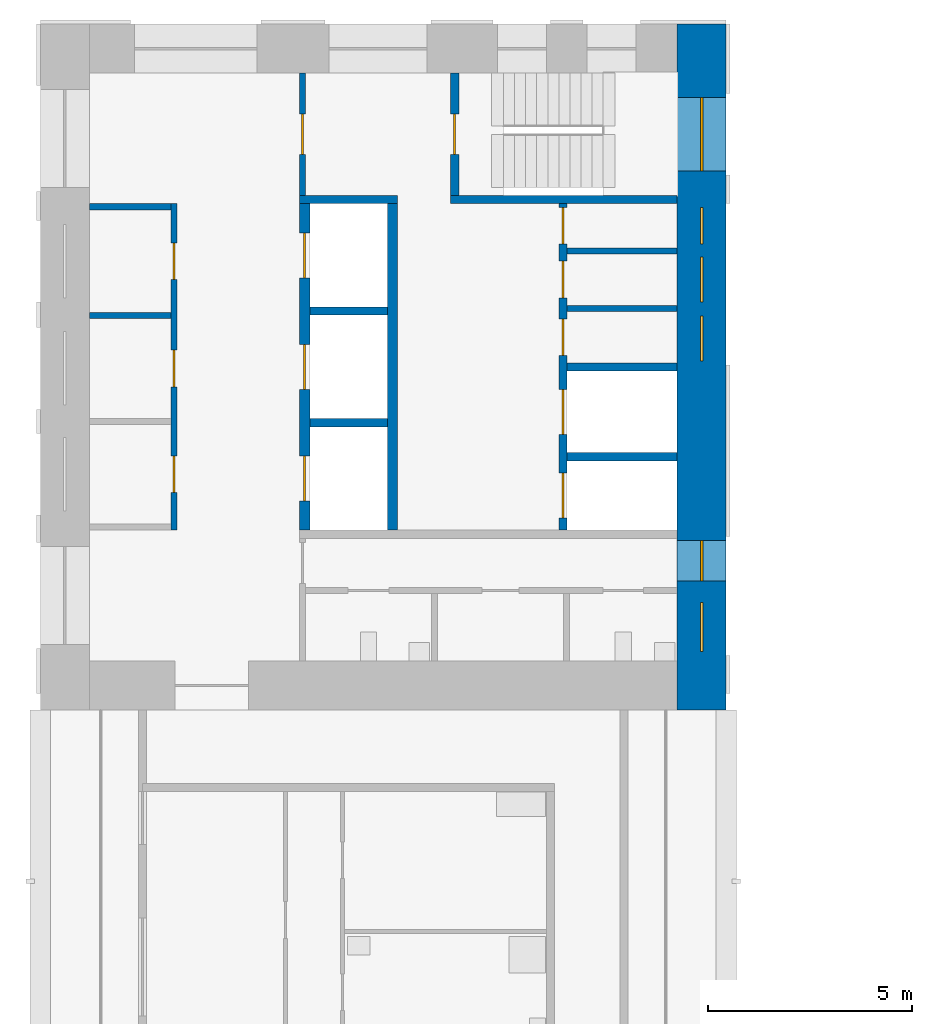
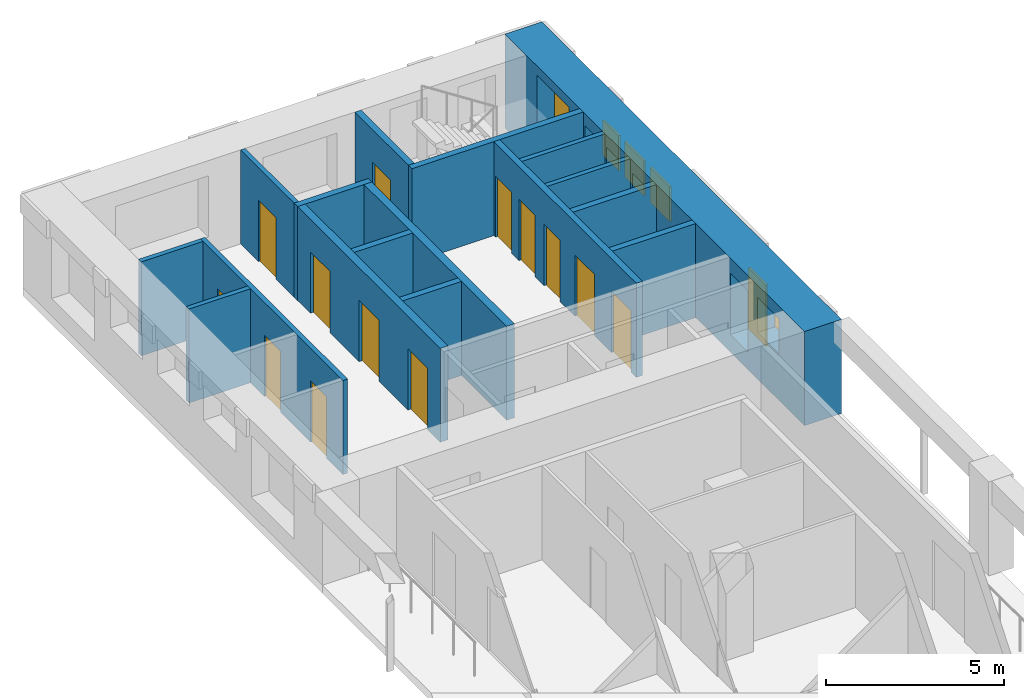
# One storey, part 6 of 10: 17 walls, 13 doors, 6 windows, 19 openings.
"""IFC4 building model written with IfcOpenShell, lengths in metres."""

from ifc_helpers import new_model, si_unit, direction, frame, frame_2d, origin, place, context, subcontext, project, spatial, rectangle, extrude, material, layer, layer_set, type_object, element, fill, save


model = new_model("IFC4")

# Units and contexts
model_context = context("Model", 3, precision=1e-05, world=origin(), true_north=direction((0.0, 1.0)))
body_context = subcontext(model_context, "Body", "Model", "MODEL_VIEW")
ifc_project = project(units=[si_unit("LENGTHUNIT", "METRE"), si_unit("AREAUNIT", "SQUARE_METRE"), si_unit("VOLUMEUNIT", "CUBIC_METRE"), si_unit("PLANEANGLEUNIT", "RADIAN"), si_unit("MASSUNIT", "GRAM", prefix="KILO")], contexts=[model_context])

# Site, building, storey
site_placement = place(None, origin())
site = spatial("IfcSite", under=ifc_project, at=site_placement, CompositionType="ELEMENT")
building_placement = place(site_placement, origin())
building = spatial("IfcBuilding", under=site, at=building_placement, Name="Vermilion Gate Residences", CompositionType="ELEMENT")
storey_placement = place(building_placement, frame((0.0, 0.0, 266.699951171875)))
storey = spatial("IfcBuildingStorey", under=building, at=storey_placement, Name="L70", CompositionType="ELEMENT", Elevation=266.699951171875)

# Walls
ifc_material_1 = material(Name="Masonry blockwork", Category="masonry")
ifc_layer_1 = layer(ifc_material_1, 0.14990234375)
ifc_layer_set_1 = layer_set([ifc_layer_1], Name="BLOCKWORK PARTITION 150 EI 120")
wall_type_1 = type_object("IfcWallType", Name="BLOCKWORK PARTITION 150 EI 120", PredefinedType="PARTITIONING", material=ifc_layer_set_1)
for number, where, z_axis, x_axis, name in (
    (1, (9.60009765625, 54.324951171875, 0.0), (0.0, 0.0, 1.0), (1.0, 0.0, 0.0), "Core room partition B70-RW-W"),
    (2, (9.60009765625, 51.658935546875, 0.0), (0.0, 0.0, 1.0), (1.0, 0.0, 0.0), "Core room partition B70-SR-P0"),
):
    element("IfcWall", number, at=place(storey_placement, frame(where, z_axis=z_axis, x_axis=x_axis)), inside=storey, type_object=wall_type_1, Name=name, PredefinedType="PARTITIONING", context=body_context, shape_type="SweptSolid", body=[
        extrude(rectangle(XDim=2.0, YDim=0.14990234375, at=frame_2d((1.0, 0.0))), origin(), (0.0, 0.0, 1.0), 3.219970703125),
    ])

# Wall, openings, doors
wall_1_placement = place(storey_placement, frame((11.675048828125, 54.39990234375, 0.0), z_axis=(0.0, 0.0, 1.0), x_axis=(0.0, -1.0, 0.0)))
wall_1 = element("IfcWall", 3, at=wall_1_placement, inside=storey, type_object=wall_type_1, Name="Core room partition B70-LR-F", PredefinedType="PARTITIONING", context=body_context, shape_type="SweptSolid", body=[
    extrude(rectangle(XDim=8.0, YDim=0.14990234375, at=frame_2d((4.0, 0.0))), origin(), (0.0, 0.0, 1.0), 3.219970703125),
])
opening_1_placement = place(wall_1_placement, frame((0.9580078125, 0.0, 0.0)))
opening_1 = element("IfcOpeningElement", 4, at=opening_1_placement, cuts=wall_1, Name="Opening DK70102", PredefinedType="OPENING", context=body_context, shape_type="SweptSolid", body=[
    extrude(rectangle(XDim=0.89990234375, YDim=2.10009765625, at=frame_2d((0.449951171875, 1.050048828125))), frame((0.0, 0.0849609375, 0.0), z_axis=(0.0, -1.0, 0.0), x_axis=(1.0, 0.0, 0.0)), (0.0, 0.0, 1.0), 0.169921875),
])
opening_2_placement = place(wall_1_placement, frame((3.5869140625, 0.0, 0.0)))
opening_2 = element("IfcOpeningElement", 5, at=opening_2_placement, cuts=wall_1, Name="Opening DK70103", PredefinedType="OPENING", context=body_context, shape_type="SweptSolid", body=[
    extrude(rectangle(XDim=0.89990234375, YDim=2.10009765625, at=frame_2d((0.449951171875, 1.050048828125))), frame((0.0, 0.0849609375, 0.0), z_axis=(0.0, -1.0, 0.0), x_axis=(1.0, 0.0, 0.0)), (0.0, 0.0, 1.0), 0.169921875),
])
opening_3_placement = place(wall_1_placement, frame((6.178955078125, 0.0, 0.0)))
opening_3 = element("IfcOpeningElement", 6, at=opening_3_placement, cuts=wall_1, Name="Opening DK70104", PredefinedType="OPENING", context=body_context, shape_type="SweptSolid", body=[
    extrude(rectangle(XDim=0.89990234375, YDim=2.10009765625, at=frame_2d((0.449951171875, 1.050048828125))), frame((0.0, 0.0849609375, 0.0), z_axis=(0.0, -1.0, 0.0), x_axis=(1.0, 0.0, 0.0)), (0.0, 0.0, 1.0), 0.169921875),
])
ifc_material_2 = material(Name="Steel", Category="steel")
door_type_1 = type_object("IfcDoorType", Name="SERVICE ROOM DOOR FD60 900 X 2100", OperationType="SINGLE_SWING_LEFT", PredefinedType="DOOR", material=ifc_material_2)
door_1_placement = place(opening_1_placement, frame((0.89990234375, 0.0, 0.0), z_axis=(0.0, 0.0, 1.0), x_axis=(-1.0, 0.0, 0.0)))
door_1 = element("IfcDoor", 7, at=door_1_placement, inside=storey, type_object=door_type_1, Name="Mail room B70", OperationType="SINGLE_SWING_RIGHT", OverallHeight=2.10009765625, OverallWidth=0.89990234375, PredefinedType="DOOR", context=body_context, shape_type="SweptSolid", body=[
    extrude(rectangle(XDim=0.89990234375, YDim=2.10009765625, at=frame_2d((0.449951171875, 1.050048828125))), frame((0.0, 0.02490234375, 0.0), z_axis=(0.0, -1.0, 0.0), x_axis=(1.0, 0.0, 0.0)), (0.0, 0.0, 1.0), 0.050048828125),
])
fill(opening_1, door_1)
door_2_placement = place(opening_2_placement, frame((0.89990234375, 0.0, 0.0), z_axis=(0.0, 0.0, 1.0), x_axis=(-1.0, 0.0, 0.0)))
door_2 = element("IfcDoor", 8, at=door_2_placement, inside=storey, type_object=door_type_1, Name="Cleaner's store B70", OperationType="SINGLE_SWING_LEFT", OverallHeight=2.10009765625, OverallWidth=0.89990234375, PredefinedType="DOOR", context=body_context, shape_type="SweptSolid", body=[
    extrude(rectangle(XDim=0.89990234375, YDim=2.10009765625, at=frame_2d((0.449951171875, 1.050048828125))), frame((0.0, 0.02490234375, 0.0), z_axis=(0.0, -1.0, 0.0), x_axis=(1.0, 0.0, 0.0)), (0.0, 0.0, 1.0), 0.050048828125),
])
fill(opening_2, door_2)
door_3_placement = place(opening_3_placement, origin())
door_3 = element("IfcDoor", 9, at=door_3_placement, inside=storey, type_object=door_type_1, Name="Electrical room B70", OperationType="SINGLE_SWING_LEFT", OverallHeight=2.10009765625, OverallWidth=0.89990234375, PredefinedType="DOOR", context=body_context, shape_type="SweptSolid", body=[
    extrude(rectangle(XDim=0.89990234375, YDim=2.10009765625, at=frame_2d((0.449951171875, 1.050048828125))), frame((0.0, 0.02490234375, 0.0), z_axis=(0.0, -1.0, 0.0), x_axis=(1.0, 0.0, 0.0)), (0.0, 0.0, 1.0), 0.050048828125),
])
fill(opening_3, door_3)

# Walls
for number, where, z_axis, x_axis, name in (
    (10, (21.300048828125, 53.2451171875, 0.0), (0.0, 0.0, 1.0), (1.0, 0.0, 0.0), "Core room partition B70-NR-P0"),
    (11, (21.300048828125, 51.8349609375, 0.0), (0.0, 0.0, 1.0), (1.0, 0.0, 0.0), "Core room partition B70-NR-P1"),
):
    element("IfcWall", number, at=place(storey_placement, frame(where, z_axis=z_axis, x_axis=x_axis)), inside=storey, type_object=wall_type_1, Name=name, PredefinedType="PARTITIONING", context=body_context, shape_type="SweptSolid", body=[
        extrude(rectangle(XDim=2.699951171875, YDim=0.14990234375, at=frame_2d((1.35009765625, 0.0))), origin(), (0.0, 0.0, 1.0), 3.219970703125),
    ])

# Wall, opening, door
wall_2_placement = place(storey_placement, frame((14.824951171875, 57.60009765625, 0.0), z_axis=(0.0, 0.0, 1.0), x_axis=(0.0, -1.0, 0.0)))
wall_2 = element("IfcWall", 12, at=wall_2_placement, inside=storey, type_object=wall_type_1, Name="Core room partition B70-VW-S", PredefinedType="PARTITIONING", context=body_context, shape_type="SweptSolid", body=[
    extrude(rectangle(XDim=3.0, YDim=0.14990234375, at=frame_2d((1.5, 0.0))), origin(), (0.0, 0.0, 1.0), 3.219970703125),
])
opening_4_placement = place(wall_2_placement, frame((1.0, 0.0, 0.0)))
opening_4 = element("IfcOpeningElement", 13, at=opening_4_placement, cuts=wall_2, Name="Opening DK70113", PredefinedType="OPENING", context=body_context, shape_type="SweptSolid", body=[
    extrude(rectangle(XDim=1.0, YDim=2.10009765625, at=frame_2d((0.5, 1.050048828125))), frame((0.0, 0.0849609375, 0.0), z_axis=(0.0, -1.0, 0.0), x_axis=(1.0, 0.0, 0.0)), (0.0, 0.0, 1.0), 0.169921875),
])
ifc_material_3 = material(Name="Steel", Category="steel")
door_type_2 = type_object("IfcDoorType", Name="FIRE DOOR FD60 1000 X 2100", OperationType="SINGLE_SWING_LEFT", PredefinedType="DOOR", material=ifc_material_3)
door_4_placement = place(opening_4_placement, frame((1.0, 0.0, 0.0), z_axis=(0.0, 0.0, 1.0), x_axis=(-1.0, 0.0, 0.0)))
door_4 = element("IfcDoor", 14, at=door_4_placement, inside=storey, type_object=door_type_2, Name="Stair vestibule door B70", OperationType="SINGLE_SWING_RIGHT", OverallHeight=2.10009765625, OverallWidth=1.0, PredefinedType="DOOR", context=body_context, shape_type="SweptSolid", body=[
    extrude(rectangle(XDim=1.0, YDim=2.10009765625, at=frame_2d((0.5, 1.050048828125))), frame((0.0, 0.02490234375, 0.0), z_axis=(0.0, -1.0, 0.0), x_axis=(1.0, 0.0, 0.0)), (0.0, 0.0, 1.0), 0.050048828125),
])
fill(opening_4, door_4)

# Walls
ifc_material_4 = material(Name="Concrete C60", Category="concrete")
ifc_layer_2 = layer(ifc_material_4, 0.199951171875)
ifc_layer_set_2 = layer_set([ifc_layer_2], Name="RC CORE INTERNAL WALL 200 C60")
wall_type_2 = type_object("IfcWallType", Name="RC CORE INTERNAL WALL 200 C60", PredefinedType="SHEAR", material=ifc_layer_set_2)
for number, where, z_axis, x_axis, name in (
    (15, (15.0, 51.7666015625, 0.0), (0.0, 0.0, 1.0), (1.0, 0.0, 0.0), "Core internal wall B70-HR-D1"),
    (16, (15.0, 49.033447265625, 0.0), (0.0, 0.0, 1.0), (1.0, 0.0, 0.0), "Core internal wall B70-HR-D2"),
):
    element("IfcWall", number, at=place(storey_placement, frame(where, z_axis=z_axis, x_axis=x_axis)), inside=storey, type_object=wall_type_2, Name=name, PredefinedType="SHEAR", context=body_context, shape_type="SweptSolid", body=[
        extrude(rectangle(XDim=1.89990234375, YDim=0.199951171875, at=frame_2d((0.949951171875, 0.0))), origin(), (0.0, 0.0, 1.0), 3.219970703125),
    ])
for number, where, z_axis, x_axis, name in (
    (17, (21.300048828125, 50.39990234375, 0.0), (0.0, 0.0, 1.0), (1.0, 0.0, 0.0), "Core internal wall B70-FF-D0"),
    (18, (21.300048828125, 48.199951171875, 0.0), (0.0, 0.0, 1.0), (1.0, 0.0, 0.0), "Core internal wall B70-FF-D1"),
):
    element("IfcWall", number, at=place(storey_placement, frame(where, z_axis=z_axis, x_axis=x_axis)), inside=storey, type_object=wall_type_2, Name=name, PredefinedType="SHEAR", context=body_context, shape_type="SweptSolid", body=[
        extrude(rectangle(XDim=2.699951171875, YDim=0.199951171875, at=frame_2d((1.35009765625, 0.0))), origin(), (0.0, 0.0, 1.0), 3.219970703125),
    ])

# Wall, openings, doors
wall_3_placement = place(storey_placement, frame((21.199951171875, 54.39990234375, 0.0), z_axis=(0.0, 0.0, 1.0), x_axis=(0.0, -1.0, 0.0)))
wall_3 = element("IfcWall", 19, at=wall_3_placement, inside=storey, type_object=wall_type_2, Name="Core internal wall B70-FF-F", PredefinedType="SHEAR", context=body_context, shape_type="SweptSolid", body=[
    extrude(rectangle(XDim=8.0, YDim=0.199951171875, at=frame_2d((4.0, 0.0))), origin(), (0.0, 0.0, 1.0), 3.219970703125),
])
opening_5_placement = place(wall_3_placement, frame((0.090087890625, 0.0, 0.0)))
opening_5 = element("IfcOpeningElement", 20, at=opening_5_placement, cuts=wall_3, Name="Opening DK70108", PredefinedType="OPENING", context=body_context, shape_type="SweptSolid", body=[
    extrude(rectangle(XDim=0.89990234375, YDim=2.10009765625, at=frame_2d((0.449951171875, 1.050048828125))), frame((0.0, 0.10986328125, 0.0), z_axis=(0.0, -1.0, 0.0), x_axis=(1.0, 0.0, 0.0)), (0.0, 0.0, 1.0), 0.219970703125),
])
opening_6_placement = place(wall_3_placement, frame((1.409912109375, 0.0, 0.0)))
opening_6 = element("IfcOpeningElement", 21, at=opening_6_placement, cuts=wall_3, Name="Opening DK70109", PredefinedType="OPENING", context=body_context, shape_type="SweptSolid", body=[
    extrude(rectangle(XDim=0.89990234375, YDim=2.10009765625, at=frame_2d((0.449951171875, 1.050048828125))), frame((0.0, 0.10986328125, 0.0), z_axis=(0.0, -1.0, 0.0), x_axis=(1.0, 0.0, 0.0)), (0.0, 0.0, 1.0), 0.219970703125),
])
opening_7_placement = place(wall_3_placement, frame((2.820068359375, 0.0, 0.0)))
opening_7 = element("IfcOpeningElement", 22, at=opening_7_placement, cuts=wall_3, Name="Opening DK70110", PredefinedType="OPENING", context=body_context, shape_type="SweptSolid", body=[
    extrude(rectangle(XDim=0.89990234375, YDim=2.10009765625, at=frame_2d((0.449951171875, 1.050048828125))), frame((0.0, 0.10986328125, 0.0), z_axis=(0.0, -1.0, 0.0), x_axis=(1.0, 0.0, 0.0)), (0.0, 0.0, 1.0), 0.219970703125),
])
opening_8_placement = place(wall_3_placement, frame((4.550048828125, 0.0, 0.0)))
opening_8 = element("IfcOpeningElement", 23, at=opening_8_placement, cuts=wall_3, Name="Opening LD", PredefinedType="OPENING", context=body_context, shape_type="SweptSolid", body=[
    extrude(rectangle(XDim=1.10009765625, YDim=2.10009765625, at=frame_2d((0.550048828125, 1.050048828125))), frame((0.0, 0.10986328125, 0.0), z_axis=(0.0, -1.0, 0.0), x_axis=(1.0, 0.0, 0.0)), (0.0, 0.0, 1.0), 0.219970703125),
])
opening_9_placement = place(wall_3_placement, frame((6.60009765625, 0.0, 0.0)))
opening_9 = element("IfcOpeningElement", 24, at=opening_9_placement, cuts=wall_3, Name="Opening LD", PredefinedType="OPENING", context=body_context, shape_type="SweptSolid", body=[
    extrude(rectangle(XDim=1.10009765625, YDim=2.10009765625, at=frame_2d((0.550048828125, 1.050048828125))), frame((0.0, 0.10986328125, 0.0), z_axis=(0.0, -1.0, 0.0), x_axis=(1.0, 0.0, 0.0)), (0.0, 0.0, 1.0), 0.219970703125),
])
ifc_material_5 = material(Name="Stainless steel", Category="steel")
door_type_3 = type_object("IfcDoorType", Name="LIFT LANDING DOOR E60 1100 X 2100", OperationType="DOUBLE_DOOR_SLIDING", PredefinedType="DOOR", material=ifc_material_5)
door_5_placement = place(opening_8_placement, origin())
door_5 = element("IfcDoor", 25, at=door_5_placement, inside=storey, type_object=door_type_3, Name="Lift landing door LFB1", OperationType="DOUBLE_DOOR_SLIDING", OverallHeight=2.10009765625, OverallWidth=1.10009765625, PredefinedType="DOOR", context=body_context, shape_type="SweptSolid", body=[
    extrude(rectangle(XDim=1.10009765625, YDim=2.10009765625, at=frame_2d((0.550048828125, 1.050048828125))), frame((0.0, 0.02490234375, 0.0), z_axis=(0.0, -1.0, 0.0), x_axis=(1.0, 0.0, 0.0)), (0.0, 0.0, 1.0), 0.050048828125),
])
fill(opening_8, door_5)
door_6_placement = place(opening_9_placement, origin())
door_6 = element("IfcDoor", 26, at=door_6_placement, inside=storey, type_object=door_type_3, Name="Lift landing door LCB1", OperationType="DOUBLE_DOOR_SLIDING", OverallHeight=2.10009765625, OverallWidth=1.10009765625, PredefinedType="DOOR", context=body_context, shape_type="SweptSolid", body=[
    extrude(rectangle(XDim=1.10009765625, YDim=2.10009765625, at=frame_2d((0.550048828125, 1.050048828125))), frame((0.0, 0.02490234375, 0.0), z_axis=(0.0, -1.0, 0.0), x_axis=(1.0, 0.0, 0.0)), (0.0, 0.0, 1.0), 0.050048828125),
])
fill(opening_9, door_6)
door_7_placement = place(opening_5_placement, origin())
door_7 = element("IfcDoor", 27, at=door_7_placement, inside=storey, type_object=door_type_1, Name="Housekeeping store B70", OperationType="SINGLE_SWING_RIGHT", OverallHeight=2.10009765625, OverallWidth=0.89990234375, PredefinedType="DOOR", context=body_context, shape_type="SweptSolid", body=[
    extrude(rectangle(XDim=0.89990234375, YDim=2.10009765625, at=frame_2d((0.449951171875, 1.050048828125))), frame((0.0, 0.02490234375, 0.0), z_axis=(0.0, -1.0, 0.0), x_axis=(1.0, 0.0, 0.0)), (0.0, 0.0, 1.0), 0.050048828125),
])
fill(opening_5, door_7)
door_8_placement = place(opening_6_placement, origin())
door_8 = element("IfcDoor", 28, at=door_8_placement, inside=storey, type_object=door_type_1, Name="Mail room B70", OperationType="SINGLE_SWING_LEFT", OverallHeight=2.10009765625, OverallWidth=0.89990234375, PredefinedType="DOOR", context=body_context, shape_type="SweptSolid", body=[
    extrude(rectangle(XDim=0.89990234375, YDim=2.10009765625, at=frame_2d((0.449951171875, 1.050048828125))), frame((0.0, 0.02490234375, 0.0), z_axis=(0.0, -1.0, 0.0), x_axis=(1.0, 0.0, 0.0)), (0.0, 0.0, 1.0), 0.050048828125),
])
fill(opening_6, door_8)
door_9_placement = place(opening_7_placement, origin())
door_9 = element("IfcDoor", 29, at=door_9_placement, inside=storey, type_object=door_type_1, Name="Electrical riser B70", OperationType="SINGLE_SWING_LEFT", OverallHeight=2.10009765625, OverallWidth=0.89990234375, PredefinedType="DOOR", context=body_context, shape_type="SweptSolid", body=[
    extrude(rectangle(XDim=0.89990234375, YDim=2.10009765625, at=frame_2d((0.449951171875, 1.050048828125))), frame((0.0, 0.02490234375, 0.0), z_axis=(0.0, -1.0, 0.0), x_axis=(1.0, 0.0, 0.0)), (0.0, 0.0, 1.0), 0.050048828125),
])
fill(opening_7, door_9)

# Walls
wall_4_placement = place(storey_placement, frame((14.75, 54.5, 0.0), z_axis=(0.0, 0.0, 1.0), x_axis=(1.0, 0.0, 0.0)))
element("IfcWall", 30, at=wall_4_placement, inside=storey, type_object=wall_type_2, Name="Core internal wall B70-WDIV1", PredefinedType="SHEAR", context=body_context, shape_type="SweptSolid", body=[
    extrude(rectangle(XDim=2.39990234375, YDim=0.199951171875, at=frame_2d((1.199951171875, 0.0))), origin(), (0.0, 0.0, 1.0), 3.219970703125),
])
wall_5_placement = place(storey_placement, frame((18.449951171875, 54.5, 0.0), z_axis=(0.0, 0.0, 1.0), x_axis=(1.0, 0.0, 0.0)))
element("IfcWall", 31, at=wall_5_placement, inside=storey, type_object=wall_type_2, Name="Core internal wall B70-WDIV2", PredefinedType="SHEAR", context=body_context, shape_type="SweptSolid", body=[
    extrude(rectangle(XDim=5.550048828125, YDim=0.199951171875, at=frame_2d((2.77490234375, 0.0))), origin(), (0.0, 0.0, 1.0), 3.219970703125),
])

# Wall, opening, door
wall_6_placement = place(storey_placement, frame((18.550048828125, 57.60009765625, 0.0), z_axis=(0.0, 0.0, 1.0), x_axis=(0.0, -1.0, 0.0)))
wall_6 = element("IfcWall", 32, at=wall_6_placement, inside=storey, type_object=wall_type_2, Name="Core internal wall B70-STW-S", PredefinedType="SHEAR", context=body_context, shape_type="SweptSolid", body=[
    extrude(rectangle(XDim=3.0, YDim=0.199951171875, at=frame_2d((1.5, 0.0))), origin(), (0.0, 0.0, 1.0), 3.219970703125),
])
opening_10_placement = place(wall_6_placement, frame((1.0, 0.0, 0.0)))
opening_10 = element("IfcOpeningElement", 33, at=opening_10_placement, cuts=wall_6, Name="Opening DK70114", PredefinedType="OPENING", context=body_context, shape_type="SweptSolid", body=[
    extrude(rectangle(XDim=1.0, YDim=2.10009765625, at=frame_2d((0.5, 1.050048828125))), frame((0.0, 0.10986328125, 0.0), z_axis=(0.0, -1.0, 0.0), x_axis=(1.0, 0.0, 0.0)), (0.0, 0.0, 1.0), 0.219970703125),
])
door_10_placement = place(opening_10_placement, origin())
door_10 = element("IfcDoor", 34, at=door_10_placement, inside=storey, type_object=door_type_2, Name="Stair door B70", OperationType="SINGLE_SWING_LEFT", OverallHeight=2.10009765625, OverallWidth=1.0, PredefinedType="DOOR", context=body_context, shape_type="SweptSolid", body=[
    extrude(rectangle(XDim=1.0, YDim=2.10009765625, at=frame_2d((0.5, 1.050048828125))), frame((0.0, 0.02490234375, 0.0), z_axis=(0.0, -1.0, 0.0), x_axis=(1.0, 0.0, 0.0)), (0.0, 0.0, 1.0), 0.050048828125),
])
fill(opening_10, door_10)

# Wall, openings, windows
ifc_material_6 = material(Name="Concrete C50 red-oxide pigmented", Category="concrete")
ifc_layer_3 = layer(ifc_material_6, 1.199951171875)
ifc_layer_set_3 = layer_set([ifc_layer_3], Name="RC CORE WALL 1200 C50 RED OXIDE")
wall_type_3 = type_object("IfcWallType", Name="RC CORE WALL 1200 C50 RED OXIDE", PredefinedType="SHEAR", material=ifc_layer_set_3)
wall_7_placement = place(storey_placement, frame((24.60009765625, 58.800048828125, 0.0), z_axis=(0.0, 0.0, 1.0), x_axis=(0.0, -1.0, 0.0)))
wall_7 = element("IfcWall", 35, at=wall_7_placement, inside=storey, type_object=wall_type_3, Name="Core wall B70-OUT-B1", PredefinedType="SHEAR", context=body_context, shape_type="SweptSolid", body=[
    extrude(rectangle(XDim=16.800048828125, YDim=1.199951171875, at=frame_2d((8.39990234375, 0.0))), origin(), (0.0, 0.0, 1.0), 3.219970703125),
])
opening_11_placement = place(wall_7_placement, frame((1.800048828125, 0.0, 0.5)))
opening_11 = element("IfcOpeningElement", 36, at=opening_11_placement, cuts=wall_7, Name="Opening WKB7006", PredefinedType="OPENING", context=body_context, shape_type="SweptSolid", body=[
    extrude(rectangle(XDim=1.800048828125, YDim=2.39990234375, at=frame_2d((0.89990234375, 1.199951171875))), frame((0.0, 0.60986328125, 0.0), z_axis=(0.0, -1.0, 0.0), x_axis=(1.0, 0.0, 0.0)), (0.0, 0.0, 1.0), 1.219970703125),
])
opening_12_placement = place(wall_7_placement, frame((4.489990234375, 0.0, 1.60009765625)))
opening_12 = element("IfcOpeningElement", 37, at=opening_12_placement, cuts=wall_7, Name="Opening WKB7007", PredefinedType="OPENING", context=body_context, shape_type="SweptSolid", body=[
    extrude(rectangle(XDim=0.89990234375, YDim=1.199951171875, at=frame_2d((0.449951171875, 0.60009765625))), frame((0.0, 0.60986328125, 0.0), z_axis=(0.0, -1.0, 0.0), x_axis=(1.0, 0.0, 0.0)), (0.0, 0.0, 1.0), 1.219970703125),
])
opening_13_placement = place(wall_7_placement, frame((5.7099609375, 0.0, 1.60009765625)))
opening_13 = element("IfcOpeningElement", 38, at=opening_13_placement, cuts=wall_7, Name="Opening WKB7008", PredefinedType="OPENING", context=body_context, shape_type="SweptSolid", body=[
    extrude(rectangle(XDim=1.10009765625, YDim=1.199951171875, at=frame_2d((0.550048828125, 0.60009765625))), frame((0.0, 0.60986328125, 0.0), z_axis=(0.0, -1.0, 0.0), x_axis=(1.0, 0.0, 0.0)), (0.0, 0.0, 1.0), 1.219970703125),
])
opening_14_placement = place(wall_7_placement, frame((7.14990234375, 0.0, 1.60009765625)))
opening_14 = element("IfcOpeningElement", 39, at=opening_14_placement, cuts=wall_7, Name="Opening WKB7009", PredefinedType="OPENING", context=body_context, shape_type="SweptSolid", body=[
    extrude(rectangle(XDim=1.10009765625, YDim=1.199951171875, at=frame_2d((0.550048828125, 0.60009765625))), frame((0.0, 0.60986328125, 0.0), z_axis=(0.0, -1.0, 0.0), x_axis=(1.0, 0.0, 0.0)), (0.0, 0.0, 1.0), 1.219970703125),
])
opening_15_placement = place(wall_7_placement, frame((12.64990234375, 0.0, 0.60009765625)))
opening_15 = element("IfcOpeningElement", 40, at=opening_15_placement, cuts=wall_7, Name="Opening WKB7010", PredefinedType="OPENING", context=body_context, shape_type="SweptSolid", body=[
    extrude(rectangle(XDim=1.0, YDim=2.10009765625, at=frame_2d((0.5, 1.050048828125))), frame((0.0, 0.60986328125, 0.0), z_axis=(0.0, -1.0, 0.0), x_axis=(1.0, 0.0, 0.0)), (0.0, 0.0, 1.0), 1.219970703125),
])
opening_16_placement = place(wall_7_placement, frame((14.175048828125, 0.0, 1.60009765625)))
opening_16 = element("IfcOpeningElement", 41, at=opening_16_placement, cuts=wall_7, Name="Opening WKB7011", PredefinedType="OPENING", context=body_context, shape_type="SweptSolid", body=[
    extrude(rectangle(XDim=1.199951171875, YDim=1.199951171875, at=frame_2d((0.60009765625, 0.60009765625))), frame((0.0, 0.60986328125, 0.0), z_axis=(0.0, -1.0, 0.0), x_axis=(1.0, 0.0, 0.0)), (0.0, 0.0, 1.0), 1.219970703125),
])
ifc_material_7 = material(Name="Aluminium and clear glass", Category="aluminium")
window_type_1 = type_object("IfcWindowType", Name="CORE CORRIDOR WINDOW 1000 X 2100", PartitioningType="SINGLE_PANEL", PredefinedType="WINDOW", material=ifc_material_7)
window_1_placement = place(opening_15_placement, origin())
window_1 = element("IfcWindow", 42, at=window_1_placement, inside=storey, type_object=window_type_1, Name="Core corridor window", OverallHeight=2.10009765625, OverallWidth=1.0, PartitioningType="SINGLE_PANEL", PredefinedType="WINDOW", context=body_context, shape_type="SweptSolid", body=[
    extrude(rectangle(XDim=1.0, YDim=2.10009765625, at=frame_2d((0.5, 1.050048828125))), frame((0.0, 0.030029296875, 0.0), z_axis=(0.0, -1.0, 0.0), x_axis=(1.0, 0.0, 0.0)), (0.0, 0.0, 1.0), 0.06005859375),
])
fill(opening_15, window_1)
ifc_material_8 = material(Name="Aluminium frame with louvre blades", Category="aluminium")
window_type_2 = type_object("IfcWindowType", Name="CORE LOUVRE 1100 X 1200", PartitioningType="SINGLE_PANEL", PredefinedType="WINDOW", material=ifc_material_8)
window_2_placement = place(opening_13_placement, origin())
window_2 = element("IfcWindow", 43, at=window_2_placement, inside=storey, type_object=window_type_2, Name="Core louvre", OverallHeight=1.199951171875, OverallWidth=1.10009765625, PartitioningType="SINGLE_PANEL", PredefinedType="WINDOW", context=body_context, shape_type="SweptSolid", body=[
    extrude(rectangle(XDim=1.10009765625, YDim=1.199951171875, at=frame_2d((0.550048828125, 0.60009765625))), frame((0.0, 0.030029296875, 0.0), z_axis=(0.0, -1.0, 0.0), x_axis=(1.0, 0.0, 0.0)), (0.0, 0.0, 1.0), 0.06005859375),
])
fill(opening_13, window_2)
window_3_placement = place(opening_14_placement, origin())
window_3 = element("IfcWindow", 44, at=window_3_placement, inside=storey, type_object=window_type_2, Name="Core louvre", OverallHeight=1.199951171875, OverallWidth=1.10009765625, PartitioningType="SINGLE_PANEL", PredefinedType="WINDOW", context=body_context, shape_type="SweptSolid", body=[
    extrude(rectangle(XDim=1.10009765625, YDim=1.199951171875, at=frame_2d((0.550048828125, 0.60009765625))), frame((0.0, 0.030029296875, 0.0), z_axis=(0.0, -1.0, 0.0), x_axis=(1.0, 0.0, 0.0)), (0.0, 0.0, 1.0), 0.06005859375),
])
fill(opening_14, window_3)
ifc_material_9 = material(Name="Aluminium frame with louvre blades", Category="aluminium")
window_type_3 = type_object("IfcWindowType", Name="CORE LOUVRE 1200 X 1200", PartitioningType="SINGLE_PANEL", PredefinedType="WINDOW", material=ifc_material_9)
window_4_placement = place(opening_16_placement, origin())
window_4 = element("IfcWindow", 45, at=window_4_placement, inside=storey, type_object=window_type_3, Name="Core louvre", OverallHeight=1.199951171875, OverallWidth=1.199951171875, PartitioningType="SINGLE_PANEL", PredefinedType="WINDOW", context=body_context, shape_type="SweptSolid", body=[
    extrude(rectangle(XDim=1.199951171875, YDim=1.199951171875, at=frame_2d((0.60009765625, 0.60009765625))), frame((0.0, 0.030029296875, 0.0), z_axis=(0.0, -1.0, 0.0), x_axis=(1.0, 0.0, 0.0)), (0.0, 0.0, 1.0), 0.06005859375),
])
fill(opening_16, window_4)
ifc_material_10 = material(Name="Aluminium frame with louvre blades", Category="aluminium")
window_type_4 = type_object("IfcWindowType", Name="CORE LOUVRE 900 X 1200", PartitioningType="SINGLE_PANEL", PredefinedType="WINDOW", material=ifc_material_10)
window_5_placement = place(opening_12_placement, origin())
window_5 = element("IfcWindow", 46, at=window_5_placement, inside=storey, type_object=window_type_4, Name="Core louvre", OverallHeight=1.199951171875, OverallWidth=0.89990234375, PartitioningType="SINGLE_PANEL", PredefinedType="WINDOW", context=body_context, shape_type="SweptSolid", body=[
    extrude(rectangle(XDim=0.89990234375, YDim=1.199951171875, at=frame_2d((0.449951171875, 0.60009765625))), frame((0.0, 0.030029296875, 0.0), z_axis=(0.0, -1.0, 0.0), x_axis=(1.0, 0.0, 0.0)), (0.0, 0.0, 1.0), 0.06005859375),
])
fill(opening_12, window_5)
ifc_material_11 = material(Name="Aluminium and clear glass", Category="aluminium")
window_type_5 = type_object("IfcWindowType", Name="CORE STAIR WINDOW 1800 X 2400", PartitioningType="SINGLE_PANEL", PredefinedType="WINDOW", material=ifc_material_11)
window_6_placement = place(opening_11_placement, origin())
window_6 = element("IfcWindow", 47, at=window_6_placement, inside=storey, type_object=window_type_5, Name="Core stair window", OverallHeight=2.39990234375, OverallWidth=1.800048828125, PartitioningType="SINGLE_PANEL", PredefinedType="WINDOW", context=body_context, shape_type="SweptSolid", body=[
    extrude(rectangle(XDim=1.800048828125, YDim=2.39990234375, at=frame_2d((0.89990234375, 1.199951171875))), frame((0.0, 0.030029296875, 0.0), z_axis=(0.0, -1.0, 0.0), x_axis=(1.0, 0.0, 0.0)), (0.0, 0.0, 1.0), 0.06005859375),
])
fill(opening_11, window_6)

# Wall, openings, doors
ifc_material_12 = material(Name="Concrete C60", Category="concrete")
ifc_layer_4 = layer(ifc_material_12, 0.25)
ifc_layer_set_4 = layer_set([ifc_layer_4], Name="RC LIFT SHAFT WALL 250 C60")
wall_type_4 = type_object("IfcWallType", Name="RC LIFT SHAFT WALL 250 C60", PredefinedType="SHEAR", material=ifc_layer_set_4)
wall_8_placement = place(storey_placement, frame((14.875, 54.39990234375, 0.0), z_axis=(0.0, 0.0, 1.0), x_axis=(0.0, -1.0, 0.0)))
wall_8 = element("IfcWall", 48, at=wall_8_placement, inside=storey, type_object=wall_type_4, Name="Lift shaft wall B70-HR-F", PredefinedType="SHEAR", context=body_context, shape_type="SweptSolid", body=[
    extrude(rectangle(XDim=8.0, YDim=0.25, at=frame_2d((4.0, 0.0))), origin(), (0.0, 0.0, 1.0), 3.219970703125),
])
opening_17_placement = place(wall_8_placement, frame((0.716552734375, 0.0, 0.0)))
opening_17 = element("IfcOpeningElement", 49, at=opening_17_placement, cuts=wall_8, Name="Opening LD", PredefinedType="OPENING", context=body_context, shape_type="SweptSolid", body=[
    extrude(rectangle(XDim=1.10009765625, YDim=2.10009765625, at=frame_2d((0.550048828125, 1.050048828125))), frame((0.0, 0.135009765625, 0.0), z_axis=(0.0, -1.0, 0.0), x_axis=(1.0, 0.0, 0.0)), (0.0, 0.0, 1.0), 0.27001953125),
])
opening_18_placement = place(wall_8_placement, frame((3.449951171875, 0.0, 0.0)))
opening_18 = element("IfcOpeningElement", 50, at=opening_18_placement, cuts=wall_8, Name="Opening LD", PredefinedType="OPENING", context=body_context, shape_type="SweptSolid", body=[
    extrude(rectangle(XDim=1.10009765625, YDim=2.10009765625, at=frame_2d((0.550048828125, 1.050048828125))), frame((0.0, 0.135009765625, 0.0), z_axis=(0.0, -1.0, 0.0), x_axis=(1.0, 0.0, 0.0)), (0.0, 0.0, 1.0), 0.27001953125),
])
opening_19_placement = place(wall_8_placement, frame((6.183349609375, 0.0, 0.0)))
opening_19 = element("IfcOpeningElement", 51, at=opening_19_placement, cuts=wall_8, Name="Opening LD", PredefinedType="OPENING", context=body_context, shape_type="SweptSolid", body=[
    extrude(rectangle(XDim=1.10009765625, YDim=2.10009765625, at=frame_2d((0.550048828125, 1.050048828125))), frame((0.0, 0.135009765625, 0.0), z_axis=(0.0, -1.0, 0.0), x_axis=(1.0, 0.0, 0.0)), (0.0, 0.0, 1.0), 0.27001953125),
])
door_11_placement = place(opening_17_placement, origin())
door_11 = element("IfcDoor", 52, at=door_11_placement, inside=storey, type_object=door_type_3, Name="Lift landing door HRB1", OperationType="DOUBLE_DOOR_SLIDING", OverallHeight=2.10009765625, OverallWidth=1.10009765625, PredefinedType="DOOR", context=body_context, shape_type="SweptSolid", body=[
    extrude(rectangle(XDim=1.10009765625, YDim=2.10009765625, at=frame_2d((0.550048828125, 1.050048828125))), frame((0.0, 0.02490234375, 0.0), z_axis=(0.0, -1.0, 0.0), x_axis=(1.0, 0.0, 0.0)), (0.0, 0.0, 1.0), 0.050048828125),
])
fill(opening_17, door_11)
door_12_placement = place(opening_18_placement, origin())
door_12 = element("IfcDoor", 53, at=door_12_placement, inside=storey, type_object=door_type_3, Name="Lift landing door HRB2", OperationType="DOUBLE_DOOR_SLIDING", OverallHeight=2.10009765625, OverallWidth=1.10009765625, PredefinedType="DOOR", context=body_context, shape_type="SweptSolid", body=[
    extrude(rectangle(XDim=1.10009765625, YDim=2.10009765625, at=frame_2d((0.550048828125, 1.050048828125))), frame((0.0, 0.02490234375, 0.0), z_axis=(0.0, -1.0, 0.0), x_axis=(1.0, 0.0, 0.0)), (0.0, 0.0, 1.0), 0.050048828125),
])
fill(opening_18, door_12)
door_13_placement = place(opening_19_placement, origin())
door_13 = element("IfcDoor", 54, at=door_13_placement, inside=storey, type_object=door_type_3, Name="Lift landing door HRB3", OperationType="DOUBLE_DOOR_SLIDING", OverallHeight=2.10009765625, OverallWidth=1.10009765625, PredefinedType="DOOR", context=body_context, shape_type="SweptSolid", body=[
    extrude(rectangle(XDim=1.10009765625, YDim=2.10009765625, at=frame_2d((0.550048828125, 1.050048828125))), frame((0.0, 0.02490234375, 0.0), z_axis=(0.0, -1.0, 0.0), x_axis=(1.0, 0.0, 0.0)), (0.0, 0.0, 1.0), 0.050048828125),
])
fill(opening_19, door_13)

# Wall
wall_9_placement = place(storey_placement, frame((17.02490234375, 54.39990234375, 0.0), z_axis=(0.0, 0.0, 1.0), x_axis=(0.0, -1.0, 0.0)))
element("IfcWall", 55, at=wall_9_placement, inside=storey, type_object=wall_type_4, Name="Lift shaft wall B70-HR-B", PredefinedType="SHEAR", context=body_context, shape_type="SweptSolid", body=[
    extrude(rectangle(XDim=8.0, YDim=0.25, at=frame_2d((4.0, 0.0))), origin(), (0.0, 0.0, 1.0), 3.219970703125),
])

save(model, "model.ifc")
